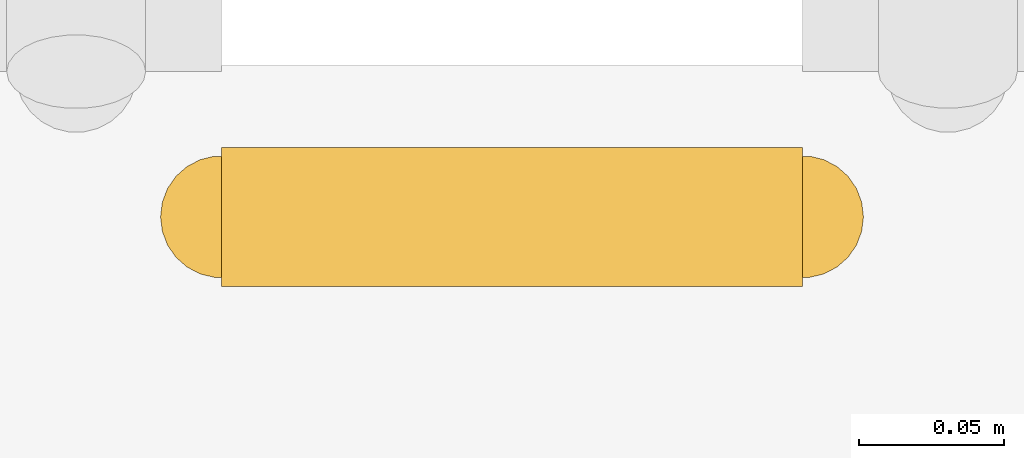
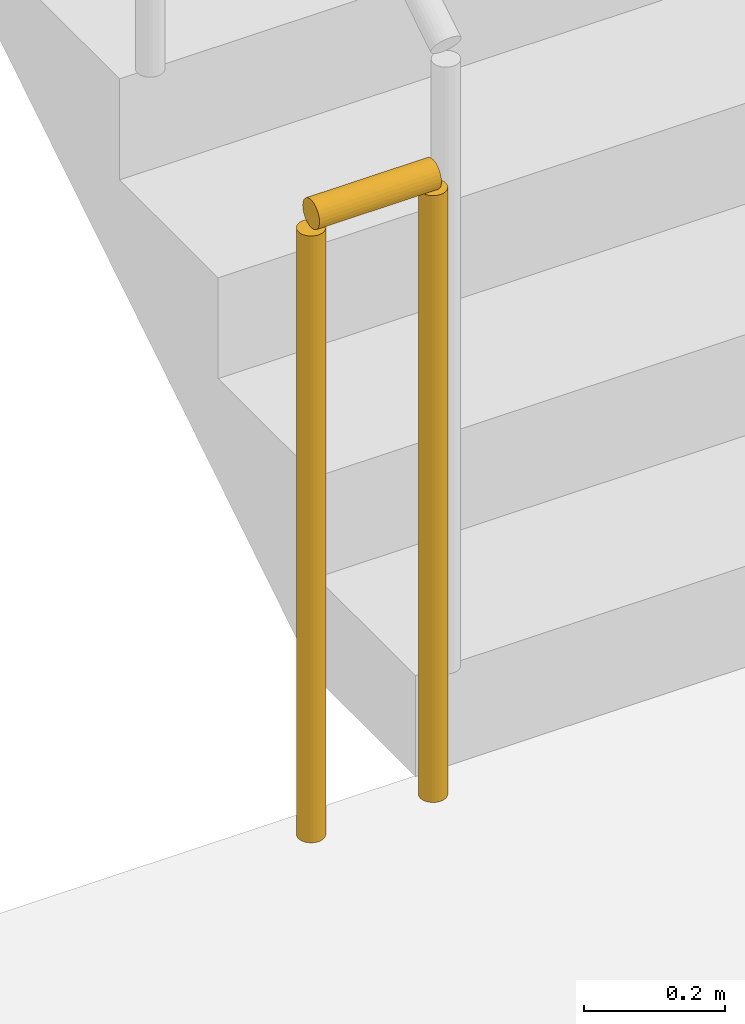
# One storey, part 11 of 22: 1 railing.
"""IFC4 building model written with IfcOpenShell, lengths in metres."""

from ifc_helpers import new_model, si_unit, direction, frame, origin, origin_2d, place, context, subcontext, project, spatial, circle, extrude, material, type_object, element, save


model = new_model("IFC4")

# Units and contexts
model_context = context("Model", 3, precision=1e-05, world=origin(), true_north=direction((0.0, 1.0)))
body_context = subcontext(model_context, "Body", "Model", "MODEL_VIEW")
ifc_project = project(units=[si_unit("LENGTHUNIT", "METRE"), si_unit("AREAUNIT", "SQUARE_METRE"), si_unit("VOLUMEUNIT", "CUBIC_METRE"), si_unit("PLANEANGLEUNIT", "RADIAN"), si_unit("MASSUNIT", "GRAM", prefix="KILO")], contexts=[model_context])

# Site, building, storey
site_placement = place(None, origin())
site = spatial("IfcSite", under=ifc_project, at=site_placement, CompositionType="ELEMENT")
building_placement = place(site_placement, origin())
building = spatial("IfcBuilding", under=site, at=building_placement, Name="Kiln Ring Residences", CompositionType="ELEMENT")
storey_placement = place(building_placement, frame((0.0, 0.0, 139.60009765625)))
storey = spatial("IfcBuildingStorey", under=building, at=storey_placement, Name="L35", CompositionType="ELEMENT", Elevation=139.60009765625)

# Railing
ifc_material = material(Name="Stainless steel", Category="steel")
railing_type = type_object("IfcRailingType", Name="CORE-STAIR-GUARD", PredefinedType="GUARDRAIL", material=ifc_material)
railing_placement = place(storey_placement, frame((-22.0, -8.449951171875, 0.0)))
element("IfcRailing", 1, at=railing_placement, inside=storey, type_object=railing_type, Name="L35 W-STS stair guard 4", PredefinedType="GUARDRAIL", context=body_context, shape_type="SweptSolid", body=[
    extrude(circle(Radius=0.02392578125, at=origin_2d()), frame((0.0, 0.0, 1.076171875), z_axis=(-1.0, 0.0, 0.0), x_axis=(0.0, -1.0, 0.0)), (0.0, 0.0, 1.0), 0.199951171875),
    extrude(circle(Radius=0.02099609375, at=origin_2d()), origin(), (0.0, 0.0, 1.0), 1.052001953125),
    extrude(circle(Radius=0.02099609375, at=origin_2d()), frame((-0.199951171875, 0.0, 0.0)), (0.0, 0.0, 1.0), 1.052001953125),
])

save(model, "model.ifc")
